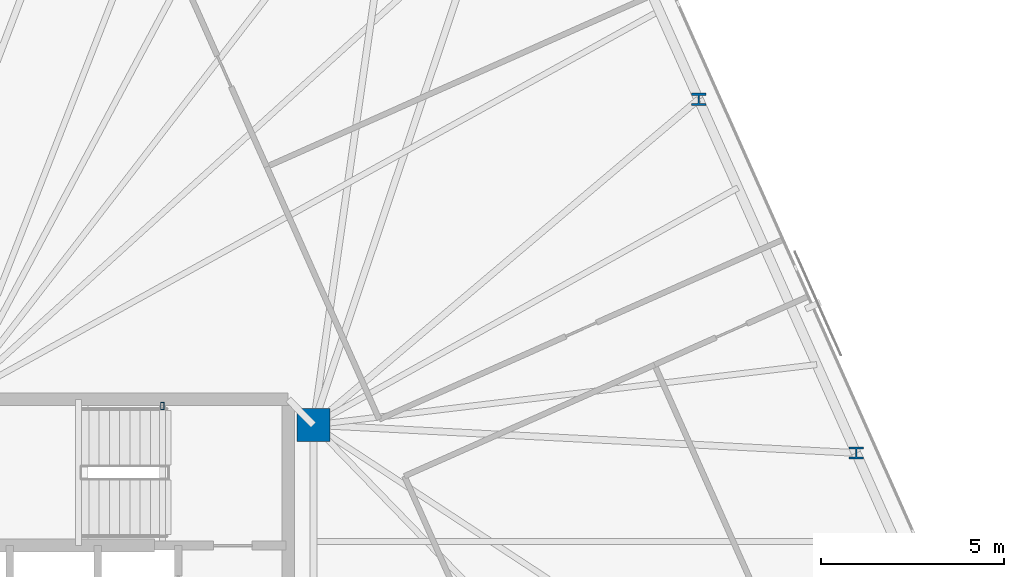
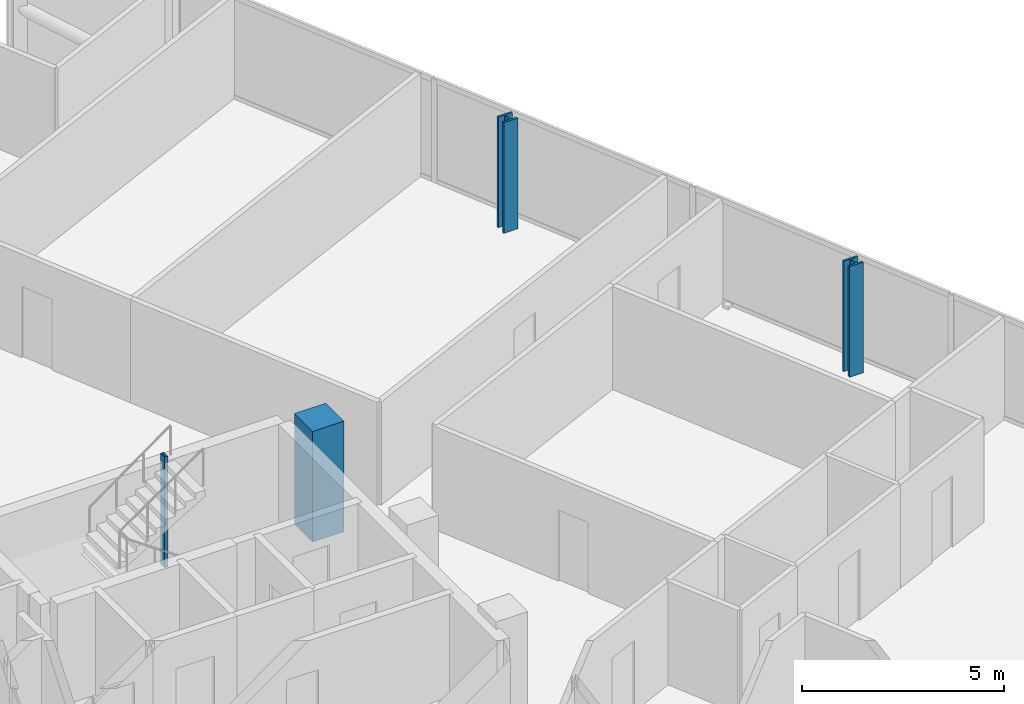
# One storey, part 3 of 18: 4 columns.
"""IFC4 building model written with IfcOpenShell, lengths in metres."""

import ifcopenshell
import ifcopenshell.guid

model = None  # the IFC model being written
_history = None  # IfcOwnerHistory: only IFC2X3 demands one
_inside = {}  # id of a spatial element -> (the spatial element, [elements in it])
_under = {}  # id of a project, library or spatial element -> (it, [spatial elements below it])
_declared = {}  # id of a project -> (the project, [libraries it declares])
_typed = {}  # id of a type object -> (the type object, [elements of that type])
_made_of = {}  # id of a material, layer set ... -> (it, [elements and type objects made of it])


def new_model(schema):
    """Start an empty IFC model of exactly this schema.

    Asked for "IFC4X3", IfcOpenShell would pick the latest addendum, in which some entities
    have other attributes; the version numbers below select the first issue.
    IFC2X3 requires an IfcOwnerHistory on every rooted entity: one is made here for all.
    """
    global model, _history
    if schema == "IFC4X3":
        model = ifcopenshell.file(schema_version=(4, 3, 0, 0))
    else:
        model = ifcopenshell.file(schema=schema)
    _inside.clear()
    _under.clear()
    _declared.clear()
    _typed.clear()
    _made_of.clear()
    _history = None
    if model.schema == "IFC2X3":
        org = make("IfcOrganization", Name="unknown")
        user = make(
            "IfcPersonAndOrganization",
            ThePerson=make("IfcPerson", FamilyName="unknown"),
            TheOrganization=org,
        )
        app = make(
            "IfcApplication",
            ApplicationDeveloper=org,
            Version="unknown",
            ApplicationFullName="unknown",
            ApplicationIdentifier="unknown",
        )
        _history = make(
            "IfcOwnerHistory",
            OwningUser=user,
            OwningApplication=app,
            ChangeAction="ADDED",
            CreationDate=0,
        )
    return model


def make(cls, **values):
    """One entity of the class cls with the attributes given. An attribute that is None is left unset."""
    return model.create_entity(
        cls, **{name: value for name, value in values.items() if value is not None}
    )


def rooted(cls, **values):
    """An entity with a GlobalId (a new one), such as an element, a storey or a relation."""
    return make(cls, GlobalId=ifcopenshell.guid.new(), OwnerHistory=_history, **values)


def si_unit(unit_type, name, prefix=None):
    """IfcSIUnit, for example si_unit("LENGTHUNIT", "METRE", prefix="MILLI")."""
    return make("IfcSIUnit", UnitType=unit_type, Prefix=prefix, Name=name)


def assignment(units):
    """IfcUnitAssignment: the units of a project."""
    return None if units is None else make("IfcUnitAssignment", Units=units)


def point(xyz):
    """IfcCartesianPoint."""
    return None if xyz is None else make("IfcCartesianPoint", Coordinates=xyz)


def direction(xyz):
    """IfcDirection."""
    return None if xyz is None else make("IfcDirection", DirectionRatios=xyz)


def frame(location, z_axis=None, x_axis=None):
    """IfcAxis2Placement3D, a coordinate frame: its origin and axes. An axis left out is left unset."""
    return make(
        "IfcAxis2Placement3D",
        Location=point(location),
        Axis=direction(z_axis),
        RefDirection=direction(x_axis),
    )


def frame_2d(location, x_axis=None):
    """IfcAxis2Placement2D, a coordinate frame in the plane: its origin and x axis."""
    return make(
        "IfcAxis2Placement2D", Location=point(location), RefDirection=direction(x_axis)
    )


def origin():
    """The frame at (0, 0, 0) with its axes left unset."""
    return frame((0.0, 0.0, 0.0))


def origin_2d():
    """The frame at (0, 0) in the plane with its x axis left unset."""
    return frame_2d((0.0, 0.0))


def place(relative_to, where):
    """IfcLocalPlacement: puts the frame where relative to a parent placement (None: the world)."""
    return make(
        "IfcLocalPlacement", PlacementRelTo=relative_to, RelativePlacement=where
    )


def context(
    kind, dimensions, precision=None, world=None, true_north=None, identifier=None
):
    """IfcGeometricRepresentationContext, for example the 3D "Model" context."""
    return make(
        "IfcGeometricRepresentationContext",
        ContextIdentifier=identifier,
        ContextType=kind,
        CoordinateSpaceDimension=dimensions,
        Precision=precision,
        WorldCoordinateSystem=world,
        TrueNorth=true_north,
    )


def subcontext(parent, identifier, kind, view, scale=None):
    """IfcGeometricRepresentationSubContext, for example "Body" below "Model"."""
    return make(
        "IfcGeometricRepresentationSubContext",
        ContextIdentifier=identifier,
        ContextType=kind,
        ParentContext=parent,
        TargetScale=scale,
        TargetView=view,
    )


def project(units=None, contexts=None):
    """IfcProject with its units and contexts."""
    return rooted(
        "IfcProject",
        Name="project",
        RepresentationContexts=contexts,
        UnitsInContext=assignment(units),
    )


def spatial(cls, under=None, at=None, **own):
    """A site, building, storey or space (cls), placed at a placement, below another one or the project."""
    s = rooted(cls, ObjectPlacement=at, **own)
    if under is not None:
        _under.setdefault(under.id(), (under, []))[1].append(s)
    return s


def profile(cls, at=None, kind="AREA", **sizes):
    """A parametric profile (cls). Its sizes go by their IFC names, for example OverallWidth=200.0."""
    return make(cls, ProfileType=kind, Position=at, **sizes)


def rectangle(**sizes):
    """IfcRectangleProfileDef."""
    return profile("IfcRectangleProfileDef", **sizes)


def hollow_rectangle(**sizes):
    """IfcRectangleHollowProfileDef."""
    return profile("IfcRectangleHollowProfileDef", **sizes)


def i_section(**sizes):
    """IfcIShapeProfileDef."""
    return profile("IfcIShapeProfileDef", **sizes)


def extrude(swept, where, along, depth):
    """IfcExtrudedAreaSolid: the profile swept, set in the frame where, extruded along a direction by depth."""
    return make(
        "IfcExtrudedAreaSolid",
        SweptArea=swept,
        Position=where,
        ExtrudedDirection=direction(along),
        Depth=depth,
    )


def shape(context_of_items, identifier, shape_type, items):
    """IfcShapeRepresentation: the items that make up one representation, for example the "Body"."""
    return make(
        "IfcShapeRepresentation",
        ContextOfItems=context_of_items,
        RepresentationIdentifier=identifier,
        RepresentationType=shape_type,
        Items=items,
    )


def material(Name=None, Category=None):
    """IfcMaterial."""
    return make("IfcMaterial", Name=Name, Category=Category)


def material_profile(
    of_material, cross_section, Name=None, Category=None, Priority=None
):
    """IfcMaterialProfile: a cross section and its material."""
    return make(
        "IfcMaterialProfile",
        Name=Name,
        Material=of_material,
        Profile=cross_section,
        Priority=Priority,
        Category=Category,
    )


def profile_set(profiles, Name=None, composite=None):
    """IfcMaterialProfileSet."""
    return make(
        "IfcMaterialProfileSet",
        Name=Name,
        MaterialProfiles=profiles,
        CompositeProfile=composite,
    )


def made_of(thing, what):
    """Note that an element or type object is made of a material, layer set ...; save() writes the relation."""
    if what is not None:
        _made_of.setdefault(what.id(), (what, []))[1].append(thing)
    return thing


def type_object(cls, material=None, **own):
    """A type object (cls), such as IfcWallType, which elements share."""
    return made_of(rooted(cls, **own), material)


def element(
    cls,
    number,
    at=None,
    inside=None,
    cuts=None,
    type_object=None,
    material=None,
    context=None,
    identifier="Body",
    shape_type=None,
    held_by="IfcProductDefinitionShape",
    body=None,
    shapes=None,
    **own,
):
    """One element of the class cls, such as IfcWall. Its Tag is "e" and its number.

    at: its placement. inside: the storey or other place that contains it. cuts: it is an
    opening in that element (IfcRelVoidsElement). A single representation is given by context,
    identifier, shape_type and body (its items); several are given by shapes. held_by: the class
    of the entity that holds the representations. save() writes the other relations.
    """
    e = rooted(cls, Tag="e%d" % number, ObjectPlacement=at, **own)
    if body is not None:
        shapes = [shape(context, identifier, shape_type, body)]
    if shapes is not None:
        e.Representation = make(held_by, Representations=shapes)
    if inside is not None:
        _inside.setdefault(inside.id(), (inside, []))[1].append(e)
    if cuts is not None:
        rooted(
            "IfcRelVoidsElement", RelatingBuildingElement=cuts, RelatedOpeningElement=e
        )
    if type_object is not None:
        _typed.setdefault(type_object.id(), (type_object, []))[1].append(e)
    return made_of(e, material)


def aggregate(whole, parts):
    """IfcRelAggregates: a whole, such as a stair, and the parts it consists of."""
    return rooted("IfcRelAggregates", RelatingObject=whole, RelatedObjects=parts)


def save(model, path):
    """Write the relations noted so far, then the file.

    IfcRelAggregates (storeys below a building ...), IfcRelContainedInSpatialStructure (elements
    in a storey), IfcRelDefinesByType, IfcRelAssociatesMaterial and IfcRelDeclares: one each for
    every whole, place, type object, material and project.
    """
    for whole, parts in _under.values():
        aggregate(whole, parts)
    for where, things in _inside.values():
        rooted(
            "IfcRelContainedInSpatialStructure",
            RelatedElements=things,
            RelatingStructure=where,
        )
    for kind, things in _typed.values():
        rooted("IfcRelDefinesByType", RelatedObjects=things, RelatingType=kind)
    for what, things in _made_of.values():
        rooted("IfcRelAssociatesMaterial", RelatedObjects=things, RelatingMaterial=what)
    for by, libraries in _declared.values():
        rooted("IfcRelDeclares", RelatingContext=by, RelatedDefinitions=libraries)
    model.write(path)


model = new_model("IFC4")

# Units and contexts
model_context = context("Model", 3, precision=1e-05, world=origin(), true_north=direction((0.0, 1.0)))
body_context = subcontext(model_context, "Body", "Model", "MODEL_VIEW")
ifc_project = project(units=[si_unit("LENGTHUNIT", "METRE"), si_unit("AREAUNIT", "SQUARE_METRE"), si_unit("VOLUMEUNIT", "CUBIC_METRE"), si_unit("PLANEANGLEUNIT", "RADIAN"), si_unit("MASSUNIT", "GRAM", prefix="KILO")], contexts=[model_context])

# Site, building, storey
site_placement = place(None, origin())
site = spatial("IfcSite", under=ifc_project, at=site_placement, CompositionType="ELEMENT")
building_placement = place(site_placement, origin())
building = spatial("IfcBuilding", under=site, at=building_placement, Name="Menara Jurai Vektor", CompositionType="ELEMENT")
storey_placement = place(building_placement, frame((0.0, 0.0, 298.64990234375)))
storey = spatial("IfcBuildingStorey", under=building, at=storey_placement, Name="L80", CompositionType="ELEMENT", Elevation=298.64990234375)

# Columns
ifc_material_1 = material(Name="Concrete C50/60", Category="concrete")
ifc_material_profile_1 = material_profile(ifc_material_1, rectangle(XDim=0.89990234375, YDim=0.89990234375, at=origin_2d()), Name="RC 900x900")
ifc_profile_set_1 = profile_set([ifc_material_profile_1], Name="Concrete C50/60")
column_type_1 = type_object("IfcColumnType", Name="STR-COL-RC900", PredefinedType="COLUMN", material=ifc_profile_set_1)
column_1_placement = place(storey_placement, frame((15.25, 4.89990234375, 0.0), z_axis=(0.0, 0.0, 1.0), x_axis=(1.0, 0.0, 0.0)))
element("IfcColumn", 1, at=column_1_placement, inside=storey, type_object=column_type_1, Name="Core Spine Column CE-NE L80", PredefinedType="COLUMN", context=body_context, shape_type="SweptSolid", body=[
    extrude(rectangle(XDim=0.89990234375, YDim=0.89990234375, at=origin_2d()), origin(), (0.0, 0.0, 1.0), 3.35009765625),
])
ifc_material_2 = material(Name="Steel S355", Category="steel")
ifc_material_profile_2 = material_profile(ifc_material_2, hollow_rectangle(XDim=0.10009765625, YDim=0.199951171875, WallThickness=0.008056640625, at=origin_2d()), Name="RHS 200x100x8")
ifc_profile_set_2 = profile_set([ifc_material_profile_2], Name="Steel S355")
column_type_2 = type_object("IfcColumnType", Name="STR-COL-STAIR", PredefinedType="COLUMN", material=ifc_profile_set_2)
column_2_placement = place(storey_placement, frame((11.1201171875, 5.419921875, 0.0), z_axis=(0.0, 0.0, 1.0), x_axis=(1.0, 0.0, 0.0)))
element("IfcColumn", 2, at=column_2_placement, inside=storey, type_object=column_type_2, Name="Stair Well Header Column ST2-P2 L80", PredefinedType="COLUMN", context=body_context, shape_type="SweptSolid", body=[
    extrude(hollow_rectangle(XDim=0.10009765625, YDim=0.199951171875, WallThickness=0.008056640625, at=origin_2d()), origin(), (0.0, 0.0, 1.0), 3.35009765625),
])
ifc_material_3 = material(Name="Steel S460", Category="steel")
ifc_material_profile_3 = material_profile(ifc_material_3, i_section(OverallWidth=0.40087890625, OverallDepth=0.3349609375, WebThickness=0.035888671875, FlangeThickness=0.05810546875, FilletRadius=0.014892578125, at=origin_2d()), Name="HD 400x463")
ifc_profile_set_3 = profile_set([ifc_material_profile_3], Name="Steel S460")
column_type_3 = type_object("IfcColumnType", Name="STR-EXO-BLK5", PredefinedType="COLUMN", material=ifc_profile_set_3)
for number, where, z_axis, x_axis, name in (
    (3, (30.086181640625, 4.13330078125, 0.0), (0.0, 0.0, 1.0), (1.0, 0.0, 0.0), "Exoskeleton Column BLK5-E2 L80"),
    (4, (25.781005859375, 13.80322265625, 0.0), (0.0, 0.0, 1.0), (1.0, 0.0, 0.0), "Exoskeleton Column BLK5-E3 L80"),
):
    element("IfcColumn", number, at=place(storey_placement, frame(where, z_axis=z_axis, x_axis=x_axis)), inside=storey, type_object=column_type_3, Name=name, PredefinedType="COLUMN", context=body_context, shape_type="SweptSolid", body=[
        extrude(i_section(OverallWidth=0.40087890625, OverallDepth=0.3349609375, WebThickness=0.035888671875, FlangeThickness=0.05810546875, FilletRadius=0.014892578125, at=origin_2d()), origin(), (0.0, 0.0, 1.0), 3.35009765625),
    ])

save(model, "model.ifc")
